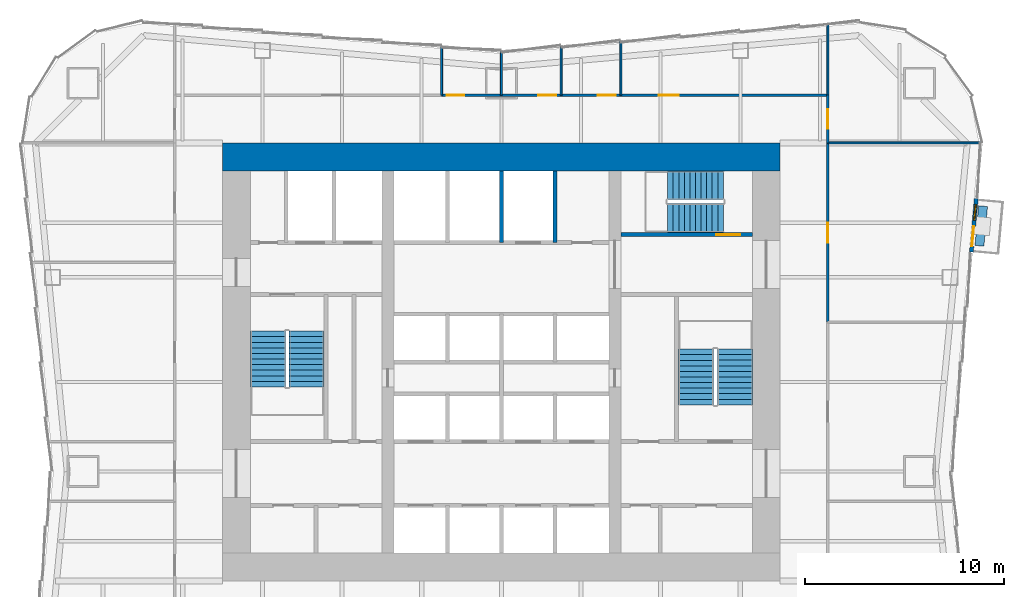
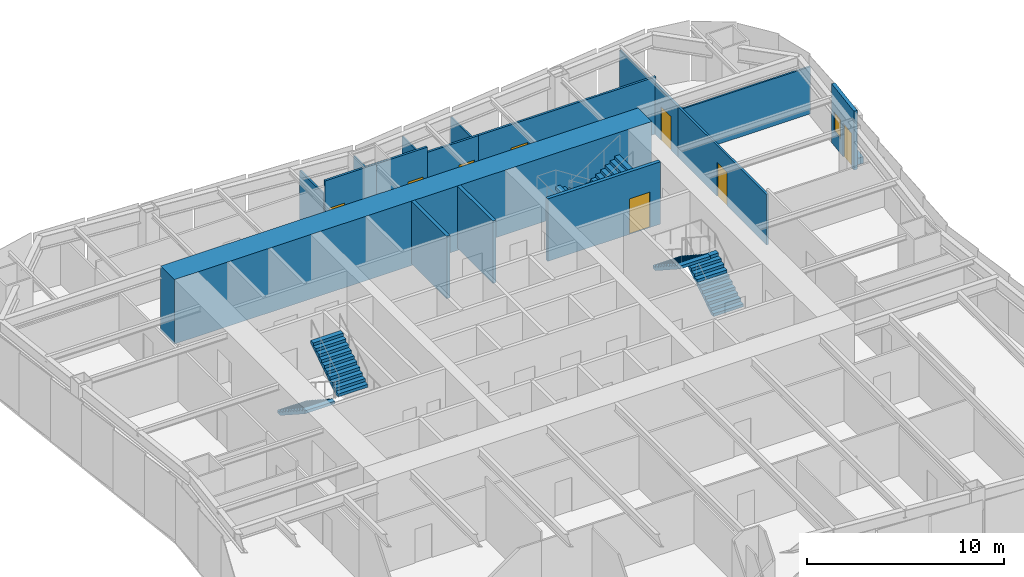
# One storey, part 6 of 8: 18 walls, 8 doors, 6 stair flights, 1 window, 9 openings, 3 elements without a shape of their own.
"""IFC4 building model written with IfcOpenShell, lengths in metres."""

from ifc_helpers import new_model, si_unit, direction, frame, frame_2d, origin, place, context, subcontext, project, spatial, polyline, rectangle, outline, extrude, material, layer, layer_set, type_object, element, fill, aggregate, save


model = new_model("IFC4")

# Units and contexts
model_context = context("Model", 3, precision=1e-05, world=origin(), true_north=direction((0.0, 1.0)))
body_context = subcontext(model_context, "Body", "Model", "MODEL_VIEW")
ifc_project = project(units=[si_unit("LENGTHUNIT", "METRE"), si_unit("AREAUNIT", "SQUARE_METRE"), si_unit("VOLUMEUNIT", "CUBIC_METRE"), si_unit("PLANEANGLEUNIT", "RADIAN"), si_unit("MASSUNIT", "GRAM", prefix="KILO")], contexts=[model_context])

# Site, building, storey
site_placement = place(None, origin())
site = spatial("IfcSite", under=ifc_project, at=site_placement, CompositionType="ELEMENT")
building_placement = place(site_placement, origin())
building = spatial("IfcBuilding", under=site, at=building_placement, Name="Verdant Reach Tower", CompositionType="ELEMENT")
storey_placement = place(building_placement, frame((0.0, 0.0, 18.0)))
storey = spatial("IfcBuildingStorey", under=building, at=storey_placement, Name="L03", CompositionType="ELEMENT", Elevation=18.0)

# Walls
ifc_material_1 = material(Name="Concrete C40/50", Category="concrete")
ifc_layer_1 = layer(ifc_material_1, 0.199951171875)
ifc_layer_set_1 = layer_set([ifc_layer_1], Name="CO-WALL-SHAFT")
wall_type_1 = type_object("IfcWallType", Name="CO-WALL-SHAFT", PredefinedType="PARTITIONING", material=ifc_layer_set_1)
for number, where, z_axis, x_axis, name in (
    (1, (0.0, 34.0, 0.0), (0.0, 0.0, 1.0), (0.0, 1.0, 0.0), "Lift shaft wall, L03"),
    (2, (2.699951171875, 34.0, 0.0), (0.0, 0.0, 1.0), (0.0, 1.0, 0.0), "Lift shaft wall, L03"),
):
    element("IfcWall", number, at=place(storey_placement, frame(where, z_axis=z_axis, x_axis=x_axis)), inside=storey, type_object=wall_type_1, Name=name, PredefinedType="PARTITIONING", context=body_context, shape_type="SweptSolid", body=[
        extrude(rectangle(XDim=3.60009765625, YDim=0.199951171875, at=frame_2d((1.800048828125, 0.0))), origin(), (0.0, 0.0, 1.0), 3.8701171875),
    ])

# Wall, opening, door
ifc_layer_2 = layer(ifc_material_1, 0.199951171875)
ifc_layer_set_2 = layer_set([ifc_layer_2], Name="CO-WALL-STAIR")
wall_type_2 = type_object("IfcWallType", Name="CO-WALL-STAIR", PredefinedType="PARTITIONING", material=ifc_layer_set_2)
wall_1_placement = place(storey_placement, frame((6.0, 34.39990234375, 0.0), z_axis=(0.0, 0.0, 1.0), x_axis=(1.0, 0.0, 0.0)))
wall_1 = element("IfcWall", 3, at=wall_1_placement, inside=storey, type_object=wall_type_2, Name="Stair enclosure wall, L03", PredefinedType="PARTITIONING", context=body_context, shape_type="SweptSolid", body=[
    extrude(rectangle(XDim=6.60009765625, YDim=0.199951171875, at=frame_2d((3.300048828125, 0.0))), origin(), (0.0, 0.0, 1.0), 3.8701171875),
])
opening_1_placement = place(wall_1_placement, frame((4.800048828125, 0.0, 0.0)))
opening_1 = element("IfcOpeningElement", 4, at=opening_1_placement, cuts=wall_1, Name="Opening SD", PredefinedType="OPENING", context=body_context, shape_type="SweptSolid", body=[
    extrude(rectangle(XDim=1.199951171875, YDim=2.199951171875, at=frame_2d((0.60009765625, 1.10009765625))), frame((0.0, 0.10986328125, 0.0), z_axis=(0.0, -1.0, 0.0), x_axis=(1.0, 0.0, 0.0)), (0.0, 0.0, 1.0), 0.219970703125),
])
ifc_material_2 = material(Name="Steel", Category="steel")
door_type_1 = type_object("IfcDoorType", Name="CO-DOOR-STAIR", OperationType="NOTDEFINED", PredefinedType="DOOR", material=ifc_material_2)
door_1_placement = place(opening_1_placement, origin())
door_1 = element("IfcDoor", 5, at=door_1_placement, inside=storey, type_object=door_type_1, Name="Stair door, L03", OperationType="SINGLE_SWING_RIGHT", OverallHeight=2.199951171875, OverallWidth=1.199951171875, PredefinedType="DOOR", context=body_context, shape_type="SweptSolid", body=[
    extrude(rectangle(XDim=1.199951171875, YDim=2.199951171875, at=frame_2d((0.60009765625, 1.10009765625))), frame((0.0, 0.02490234375, 0.0), z_axis=(0.0, -1.0, 0.0), x_axis=(1.0, 0.0, 0.0)), (0.0, 0.0, 1.0), 0.050048828125),
])
fill(opening_1, door_1)

# Wall, openings, door, window
ifc_material_3 = material(Name="Insulated bronze aluminium panel wall", Category="aluminium")
ifc_layer_3 = layer(ifc_material_3, 0.219970703125)
ifc_layer_set_3 = layer_set([ifc_layer_3], Name="EN-INFILL WALL")
wall_type_3 = type_object("IfcWallType", Name="EN-INFILL WALL", PredefinedType="SOLIDWALL", material=ifc_layer_set_3)
wall_2_placement = place(storey_placement, frame((23.602294921875, 33.520751953125, 0.0), z_axis=(0.0, 0.0, 1.0), x_axis=(0.090552042494, 0.995891724838, 0.0)))
wall_2 = element("IfcWall", 6, at=wall_2_placement, inside=storey, type_object=wall_type_3, Name="External infill wall, balcony bay 1, L03", PredefinedType="SOLIDWALL", context=body_context, shape_type="SweptSolid", body=[
    extrude(rectangle(XDim=2.701416015625, YDim=0.199951171875, at=frame_2d((1.3505859375, 0.0))), origin(), (0.0, 0.0, 1.0), 3.64990234375),
])
opening_2_placement = place(wall_2_placement, frame((0.30029296875, 0.0, 0.0)))
opening_2 = element("IfcOpeningElement", 7, at=opening_2_placement, cuts=wall_2, Name="Opening BD1", PredefinedType="OPENING", context=body_context, shape_type="SweptSolid", body=[
    extrude(rectangle(XDim=1.0, YDim=2.10009765625, at=frame_2d((0.5, 1.050048828125))), frame((0.0, 0.10986328125, 0.0), z_axis=(0.0, -1.0, 0.0), x_axis=(1.0, 0.0, 0.0)), (0.0, 0.0, 1.0), 0.219970703125),
])
opening_3_placement = place(wall_2_placement, frame((1.600830078125, 0.0, 0.89990234375)))
opening_3 = element("IfcOpeningElement", 8, at=opening_3_placement, cuts=wall_2, Name="Opening BW1", PredefinedType="OPENING", context=body_context, shape_type="SweptSolid", body=[
    extrude(rectangle(XDim=0.800048828125, YDim=1.199951171875, at=frame_2d((0.39990234375, 0.60009765625))), frame((0.0, 0.10986328125, 0.0), z_axis=(0.0, -1.0, 0.0), x_axis=(1.0, 0.0, 0.0)), (0.0, 0.0, 1.0), 0.219970703125),
])
ifc_material_4 = material(Name="Aluminium framed glazed door", Category="aluminium")
door_type_2 = type_object("IfcDoorType", Name="EN-DOOR BALCONY", OperationType="NOTDEFINED", PredefinedType="DOOR", material=ifc_material_4)
door_2_placement = place(opening_2_placement, origin())
door_2 = element("IfcDoor", 9, at=door_2_placement, inside=storey, type_object=door_type_2, Name="Balcony door 1, L03", OperationType="SINGLE_SWING_LEFT", OverallHeight=2.10009765625, OverallWidth=1.0, PredefinedType="DOOR", context=body_context, shape_type="SweptSolid", body=[
    extrude(rectangle(XDim=1.0, YDim=2.10009765625, at=frame_2d((0.5, 1.050048828125))), frame((0.0, 0.02490234375, 0.0), z_axis=(0.0, -1.0, 0.0), x_axis=(1.0, 0.0, 0.0)), (0.0, 0.0, 1.0), 0.050048828125),
])
fill(opening_2, door_2)
ifc_material_5 = material(Name="Aluminium framed glazing", Category="aluminium")
window_type = type_object("IfcWindowType", Name="EN-WINDOW BALCONY", PartitioningType="SINGLE_PANEL", PredefinedType="WINDOW", material=ifc_material_5)
window_placement = place(opening_3_placement, origin())
window = element("IfcWindow", 10, at=window_placement, inside=storey, type_object=window_type, Name="Balcony window 1, L03", OverallHeight=1.199951171875, OverallWidth=0.800048828125, PartitioningType="SINGLE_PANEL", PredefinedType="WINDOW", context=body_context, shape_type="SweptSolid", body=[
    extrude(rectangle(XDim=0.800048828125, YDim=1.199951171875, at=frame_2d((0.39990234375, 0.60009765625))), frame((0.0, 0.030029296875, 0.0), z_axis=(0.0, -1.0, 0.0), x_axis=(1.0, 0.0, 0.0)), (0.0, 0.0, 1.0), 0.06005859375),
])
fill(opening_3, window)

# Walls
ifc_material_6 = material(Name="Precast concrete C30/37", Category="concrete")
ifc_layer_4 = layer(ifc_material_6, 0.449951171875)
ifc_layer_set_4 = layer_set([ifc_layer_4], Name="EN-PLANTER")
wall_type_4 = type_object("IfcWallType", Name="EN-PLANTER", PredefinedType="USERDEFINED", material=ifc_layer_set_4)
wall_3_placement = place(storey_placement, frame((24.007568359375, 33.83544921875, 0.0), z_axis=(0.0, 0.0, 1.0), x_axis=(0.090513748512, 0.995895205998, 0.0)))
element("IfcWall", 11, at=wall_3_placement, inside=storey, type_object=wall_type_4, Name="Balcony planter 1, L03", ObjectType="PLANTER", PredefinedType="USERDEFINED", context=body_context, shape_type="SweptSolid", body=[
    extrude(rectangle(XDim=2.00146484375, YDim=0.449951171875, at=frame_2d((1.000732421875, 0.0))), origin(), (0.0, 0.0, 1.0), 0.39990234375),
])
ifc_material_7 = material(Name="Gypsum board on steel studs", Category="steel")
ifc_layer_5 = layer(ifc_material_7, 0.10009765625)
ifc_layer_set_5 = layer_set([ifc_layer_5], Name="FL-W1 Partition 100")
wall_type_5 = type_object("IfcWallType", Name="FL-W1 Partition 100", PredefinedType="PARTITIONING", material=ifc_layer_set_5)
wall_4_placement = place(storey_placement, frame((-3.0, 41.39990234375, 0.0), z_axis=(0.0, 0.0, 1.0), x_axis=(0.0, 1.0, 0.0)))
element("IfcWall", 12, at=wall_4_placement, inside=storey, type_object=wall_type_5, Name="Partition 03.36", PredefinedType="PARTITIONING", context=body_context, shape_type="SweptSolid", body=[
    extrude(rectangle(XDim=2.43017578125, YDim=0.10009765625, at=frame_2d((1.215087890625, 0.0))), origin(), (0.0, 0.0, 1.0), 3.0400390625),
])
wall_5_placement = place(storey_placement, frame((0.0, 41.39990234375, 0.0), z_axis=(0.0, 0.0, 1.0), x_axis=(0.0, 1.0, 0.0)))
element("IfcWall", 13, at=wall_5_placement, inside=storey, type_object=wall_type_5, Name="Partition 03.38", PredefinedType="PARTITIONING", context=body_context, shape_type="SweptSolid", body=[
    extrude(rectangle(XDim=2.18017578125, YDim=0.10009765625, at=frame_2d((1.090087890625, 0.0))), origin(), (0.0, 0.0, 1.0), 3.0400390625),
])
wall_6_placement = place(storey_placement, frame((3.0, 41.39990234375, 0.0), z_axis=(0.0, 0.0, 1.0), x_axis=(0.0, 1.0, 0.0)))
element("IfcWall", 14, at=wall_6_placement, inside=storey, type_object=wall_type_5, Name="Partition 03.39", PredefinedType="PARTITIONING", context=body_context, shape_type="SweptSolid", body=[
    extrude(rectangle(XDim=2.43017578125, YDim=0.10009765625, at=frame_2d((1.215087890625, 0.0))), origin(), (0.0, 0.0, 1.0), 3.0400390625),
])
wall_7_placement = place(storey_placement, frame((6.0, 41.39990234375, 0.0), z_axis=(0.0, 0.0, 1.0), x_axis=(0.0, 1.0, 0.0)))
element("IfcWall", 15, at=wall_7_placement, inside=storey, type_object=wall_type_5, Name="Partition 03.40", PredefinedType="PARTITIONING", context=body_context, shape_type="SweptSolid", body=[
    extrude(rectangle(XDim=2.68017578125, YDim=0.10009765625, at=frame_2d((1.340087890625, 0.0))), origin(), (0.0, 0.0, 1.0), 3.0400390625),
])
wall_8_placement = place(storey_placement, frame((16.39990234375, 41.39599609375, 0.0), z_axis=(0.0, 0.0, 1.0), x_axis=(0.0, 1.0, 0.0)))
element("IfcWall", 16, at=wall_8_placement, inside=storey, type_object=wall_type_5, Name="Partition 03.41", PredefinedType="PARTITIONING", context=body_context, shape_type="SweptSolid", body=[
    extrude(rectangle(XDim=3.55078125, YDim=0.10009765625, at=frame_2d((1.775390625, 0.0))), origin(), (0.0, 0.0, 1.0), 3.0400390625),
])
wall_9_placement = place(storey_placement, frame((24.080078125, 39.0, 0.0), z_axis=(0.0, 0.0, 1.0), x_axis=(-1.0, 0.0, 0.0)))
element("IfcWall", 17, at=wall_9_placement, inside=storey, type_object=wall_type_5, Name="Partition 03.48", PredefinedType="PARTITIONING", context=body_context, shape_type="SweptSolid", body=[
    extrude(rectangle(XDim=7.68017578125, YDim=0.10009765625, at=frame_2d((3.840087890625, 0.0))), origin(), (0.0, 0.0, 1.0), 2.929931640625),
])

# Wall, opening, door
ifc_material_8 = material(Name="Gypsum board on steel studs, fire rated", Category="steel")
ifc_layer_6 = layer(ifc_material_8, 0.125)
ifc_layer_set_6 = layer_set([ifc_layer_6], Name="FL-W2 Corridor wall 125")
wall_type_6 = type_object("IfcWallType", Name="FL-W2 Corridor wall 125", PredefinedType="PARTITIONING", material=ifc_layer_set_6)
wall_10_placement = place(storey_placement, frame((-3.0, 41.39990234375, 0.0), z_axis=(0.0, 0.0, 1.0), x_axis=(1.0, 0.0, 0.0)))
wall_10 = element("IfcWall", 18, at=wall_10_placement, inside=storey, type_object=wall_type_6, Name="Partition 03.06", PredefinedType="PARTITIONING", context=body_context, shape_type="SweptSolid", body=[
    extrude(rectangle(XDim=3.0, YDim=0.125, at=frame_2d((1.5, 0.0))), origin(), (0.0, 0.0, 1.0), 3.8701171875),
])
opening_4_placement = place(wall_10_placement, frame((0.25, 0.0, 0.0)))
opening_4 = element("IfcOpeningElement", 19, at=opening_4_placement, cuts=wall_10, Name="Opening D1", PredefinedType="OPENING", context=body_context, shape_type="SweptSolid", body=[
    extrude(rectangle(XDim=0.89990234375, YDim=2.10009765625, at=frame_2d((0.449951171875, 1.050048828125))), frame((0.0, 0.072509765625, 0.0), z_axis=(0.0, -1.0, 0.0), x_axis=(1.0, 0.0, 0.0)), (0.0, 0.0, 1.0), 0.14501953125),
])
ifc_material_9 = material(Name="Painted timber door leaf", Category="wood")
door_type_3 = type_object("IfcDoorType", Name="FL-D1 Door 900x2100", OperationType="NOTDEFINED", PredefinedType="DOOR", material=ifc_material_9)
door_3_placement = place(opening_4_placement, origin())
door_3 = element("IfcDoor", 20, at=door_3_placement, inside=storey, type_object=door_type_3, Name="Door 03-006", OperationType="SINGLE_SWING_LEFT", OverallHeight=2.10009765625, OverallWidth=0.89990234375, PredefinedType="DOOR", context=body_context, shape_type="SweptSolid", body=[
    extrude(rectangle(XDim=0.89990234375, YDim=2.10009765625, at=frame_2d((0.449951171875, 1.050048828125))), frame((0.0, 0.02490234375, 0.0), z_axis=(0.0, -1.0, 0.0), x_axis=(1.0, 0.0, 0.0)), (0.0, 0.0, 1.0), 0.050048828125),
])
fill(opening_4, door_3)

wall_11_placement = place(storey_placement, frame((0.0, 41.39990234375, 0.0), z_axis=(0.0, 0.0, 1.0), x_axis=(1.0, 0.0, 0.0)))
wall_11 = element("IfcWall", 21, at=wall_11_placement, inside=storey, type_object=wall_type_6, Name="Partition 03.07", PredefinedType="PARTITIONING", context=body_context, shape_type="SweptSolid", body=[
    extrude(rectangle(XDim=3.0, YDim=0.125, at=frame_2d((1.5, 0.0))), origin(), (0.0, 0.0, 1.0), 3.8701171875),
])
opening_5_placement = place(wall_11_placement, frame((1.85009765625, 0.0, 0.0)))
opening_5 = element("IfcOpeningElement", 22, at=opening_5_placement, cuts=wall_11, Name="Opening D1", PredefinedType="OPENING", context=body_context, shape_type="SweptSolid", body=[
    extrude(rectangle(XDim=0.89990234375, YDim=2.10009765625, at=frame_2d((0.449951171875, 1.050048828125))), frame((0.0, 0.072509765625, 0.0), z_axis=(0.0, -1.0, 0.0), x_axis=(1.0, 0.0, 0.0)), (0.0, 0.0, 1.0), 0.14501953125),
])
door_4_placement = place(opening_5_placement, origin())
door_4 = element("IfcDoor", 23, at=door_4_placement, inside=storey, type_object=door_type_3, Name="Door 03-007", OperationType="SINGLE_SWING_RIGHT", OverallHeight=2.10009765625, OverallWidth=0.89990234375, PredefinedType="DOOR", context=body_context, shape_type="SweptSolid", body=[
    extrude(rectangle(XDim=0.89990234375, YDim=2.10009765625, at=frame_2d((0.449951171875, 1.050048828125))), frame((0.0, 0.02490234375, 0.0), z_axis=(0.0, -1.0, 0.0), x_axis=(1.0, 0.0, 0.0)), (0.0, 0.0, 1.0), 0.050048828125),
])
fill(opening_5, door_4)

wall_12_placement = place(storey_placement, frame((3.0, 41.39990234375, 0.0), z_axis=(0.0, 0.0, 1.0), x_axis=(1.0, 0.0, 0.0)))
wall_12 = element("IfcWall", 24, at=wall_12_placement, inside=storey, type_object=wall_type_6, Name="Partition 03.08", PredefinedType="PARTITIONING", context=body_context, shape_type="SweptSolid", body=[
    extrude(rectangle(XDim=3.0, YDim=0.125, at=frame_2d((1.5, 0.0))), origin(), (0.0, 0.0, 1.0), 3.5400390625),
])
opening_6_placement = place(wall_12_placement, frame((1.85009765625, 0.0, 0.0)))
opening_6 = element("IfcOpeningElement", 25, at=opening_6_placement, cuts=wall_12, Name="Opening D1", PredefinedType="OPENING", context=body_context, shape_type="SweptSolid", body=[
    extrude(rectangle(XDim=0.89990234375, YDim=2.10009765625, at=frame_2d((0.449951171875, 1.050048828125))), frame((0.0, 0.072509765625, 0.0), z_axis=(0.0, -1.0, 0.0), x_axis=(1.0, 0.0, 0.0)), (0.0, 0.0, 1.0), 0.14501953125),
])
door_5_placement = place(opening_6_placement, origin())
door_5 = element("IfcDoor", 26, at=door_5_placement, inside=storey, type_object=door_type_3, Name="Door 03-008", OperationType="SINGLE_SWING_RIGHT", OverallHeight=2.10009765625, OverallWidth=0.89990234375, PredefinedType="DOOR", context=body_context, shape_type="SweptSolid", body=[
    extrude(rectangle(XDim=0.89990234375, YDim=2.10009765625, at=frame_2d((0.449951171875, 1.050048828125))), frame((0.0, 0.02490234375, 0.0), z_axis=(0.0, -1.0, 0.0), x_axis=(1.0, 0.0, 0.0)), (0.0, 0.0, 1.0), 0.050048828125),
])
fill(opening_6, door_5)

wall_13_placement = place(storey_placement, frame((6.0, 41.39990234375, 0.0), z_axis=(0.0, 0.0, 1.0), x_axis=(1.0, 0.0, 0.0)))
wall_13 = element("IfcWall", 27, at=wall_13_placement, inside=storey, type_object=wall_type_6, Name="Partition 03.09", PredefinedType="PARTITIONING", context=body_context, shape_type="SweptSolid", body=[
    extrude(rectangle(XDim=10.39990234375, YDim=0.125, at=frame_2d((5.199951171875, 0.0))), origin(), (0.0, 0.0, 1.0), 3.5400390625),
])
opening_7_placement = place(wall_13_placement, frame((1.89990234375, 0.0, 0.0)))
opening_7 = element("IfcOpeningElement", 28, at=opening_7_placement, cuts=wall_13, Name="Opening D2", PredefinedType="OPENING", context=body_context, shape_type="SweptSolid", body=[
    extrude(rectangle(XDim=1.0, YDim=2.10009765625, at=frame_2d((0.5, 1.050048828125))), frame((0.0, 0.072509765625, 0.0), z_axis=(0.0, -1.0, 0.0), x_axis=(1.0, 0.0, 0.0)), (0.0, 0.0, 1.0), 0.14501953125),
])
ifc_material_10 = material(Name="Timber door leaf, fire rated", Category="wood")
door_type_4 = type_object("IfcDoorType", Name="FL-D2 Entrance door 1000x2100 FD30", OperationType="NOTDEFINED", PredefinedType="DOOR", material=ifc_material_10)
door_6_placement = place(opening_7_placement, origin())
door_6 = element("IfcDoor", 29, at=door_6_placement, inside=storey, type_object=door_type_4, Name="Door 03-009", OperationType="SINGLE_SWING_LEFT", OverallHeight=2.10009765625, OverallWidth=1.0, PredefinedType="DOOR", context=body_context, shape_type="SweptSolid", body=[
    extrude(rectangle(XDim=1.0, YDim=2.10009765625, at=frame_2d((0.5, 1.050048828125))), frame((0.0, 0.02490234375, 0.0), z_axis=(0.0, -1.0, 0.0), x_axis=(1.0, 0.0, 0.0)), (0.0, 0.0, 1.0), 0.050048828125),
])
fill(opening_7, door_6)

wall_14_placement = place(storey_placement, frame((16.39990234375, 39.0, 0.0), z_axis=(0.0, 0.0, 1.0), x_axis=(0.0, -1.0, 0.0)))
wall_14 = element("IfcWall", 30, at=wall_14_placement, inside=storey, type_object=wall_type_6, Name="Partition 03.17", PredefinedType="PARTITIONING", context=body_context, shape_type="SweptSolid", body=[
    extrude(rectangle(XDim=9.0, YDim=0.125, at=frame_2d((4.5, 0.0))), origin(), (0.0, 0.0, 1.0), 3.139892578125),
])
opening_8_placement = place(wall_14_placement, frame((4.0, 0.0, 0.0)))
opening_8 = element("IfcOpeningElement", 31, at=opening_8_placement, cuts=wall_14, Name="Opening D2", PredefinedType="OPENING", context=body_context, shape_type="SweptSolid", body=[
    extrude(rectangle(XDim=1.0, YDim=2.10009765625, at=frame_2d((0.5, 1.050048828125))), frame((0.0, 0.072509765625, 0.0), z_axis=(0.0, -1.0, 0.0), x_axis=(1.0, 0.0, 0.0)), (0.0, 0.0, 1.0), 0.14501953125),
])
door_7_placement = place(opening_8_placement, origin())
door_7 = element("IfcDoor", 32, at=door_7_placement, inside=storey, type_object=door_type_4, Name="Door 03-017", OperationType="SINGLE_SWING_LEFT", OverallHeight=2.10009765625, OverallWidth=1.0, PredefinedType="DOOR", context=body_context, shape_type="SweptSolid", body=[
    extrude(rectangle(XDim=1.0, YDim=2.10009765625, at=frame_2d((0.5, 1.050048828125))), frame((0.0, 0.02490234375, 0.0), z_axis=(0.0, -1.0, 0.0), x_axis=(1.0, 0.0, 0.0)), (0.0, 0.0, 1.0), 0.050048828125),
])
fill(opening_8, door_7)

wall_15_placement = place(storey_placement, frame((16.39990234375, 41.404052734375, 0.0), z_axis=(0.0, 0.0, 1.0), x_axis=(0.0, -1.0, 0.0)))
wall_15 = element("IfcWall", 33, at=wall_15_placement, inside=storey, type_object=wall_type_6, Name="Partition 03.18", PredefinedType="PARTITIONING", context=body_context, shape_type="SweptSolid", body=[
    extrude(rectangle(XDim=2.404052734375, YDim=0.125, at=frame_2d((1.2021484375, 0.0))), origin(), (0.0, 0.0, 1.0), 3.139892578125),
])
opening_9_placement = place(wall_15_placement, frame((0.701904296875, 0.0, 0.0)))
opening_9 = element("IfcOpeningElement", 34, at=opening_9_placement, cuts=wall_15, Name="Opening D2", PredefinedType="OPENING", context=body_context, shape_type="SweptSolid", body=[
    extrude(rectangle(XDim=1.0, YDim=2.10009765625, at=frame_2d((0.5, 1.050048828125))), frame((0.0, 0.072509765625, 0.0), z_axis=(0.0, -1.0, 0.0), x_axis=(1.0, 0.0, 0.0)), (0.0, 0.0, 1.0), 0.14501953125),
])
door_8_placement = place(opening_9_placement, origin())
door_8 = element("IfcDoor", 35, at=door_8_placement, inside=storey, type_object=door_type_4, Name="Door 03-018", OperationType="SINGLE_SWING_RIGHT", OverallHeight=2.10009765625, OverallWidth=1.0, PredefinedType="DOOR", context=body_context, shape_type="SweptSolid", body=[
    extrude(rectangle(XDim=1.0, YDim=2.10009765625, at=frame_2d((0.5, 1.050048828125))), frame((0.0, 0.02490234375, 0.0), z_axis=(0.0, -1.0, 0.0), x_axis=(1.0, 0.0, 0.0)), (0.0, 0.0, 1.0), 0.050048828125),
])
fill(opening_9, door_8)

# Wall
ifc_material_11 = material(Name="Concrete C70/85", Category="concrete")
ifc_layer_7 = layer(ifc_material_11, 1.39990234375)
ifc_layer_set_7 = layer_set([ifc_layer_7], Name="ST-CORE-WALL-1400")
wall_type_7 = type_object("IfcWallType", Name="ST-CORE-WALL-1400", PredefinedType="SHEAR", material=ifc_layer_set_7)
wall_16_placement = place(storey_placement, frame((-14.0, 38.300048828125, -0.1298828125), z_axis=(0.0, 0.0, 1.0), x_axis=(1.0, 0.0, 0.0)))
element("IfcWall", 36, at=wall_16_placement, inside=storey, type_object=wall_type_7, Name="Core wall N, L03", PredefinedType="SHEAR", context=body_context, shape_type="SweptSolid", body=[
    extrude(rectangle(XDim=28.0, YDim=1.39990234375, at=frame_2d((14.0, 0.0))), origin(), (0.0, 0.0, 1.0), 4.0),
])

# Stair, stair flights
stair_type = type_object("IfcStairType", Name="CO-STAIR", PredefinedType="HALF_TURN_STAIR", material=ifc_material_1)
stair_1_placement = place(storey_placement, origin())
stair_1 = element("IfcStair", 37, at=stair_1_placement, inside=storey, type_object=stair_type, Name="L03 Exit stair 1", PredefinedType="HALF_TURN_STAIR")
stair_flight_type = type_object("IfcStairFlightType", Name="CO-STAIR-FLIGHT", PredefinedType="STRAIGHT", material=ifc_material_1)
stair_flight_1_placement = place(storey_placement, frame((-11.72509765625, 29.550048828125, 0.0), z_axis=(0.0, 0.0, 1.0), x_axis=(0.0, -1.0, 0.0)))
stair_flight_1 = element("IfcStairFlight", 38, at=stair_flight_1_placement, type_object=stair_flight_type, Name="ST-1 flight 1", NumberOfRisers=11, NumberOfTreads=10, PredefinedType="STRAIGHT", RiserHeight=0.181818182, TreadLength=0.28, context=body_context, shape_type="SweptSolid", body=[
    extrude(outline(polyline([(0.0, 0.0), (0.0, 0.181884765625), (0.280029296875, 0.181884765625), (0.280029296875, 0.363525390625), (0.56005859375, 0.363525390625), (0.56005859375, 0.54541015625), (0.840087890625, 0.54541015625), (0.840087890625, 0.727294921875), (1.1201171875, 0.727294921875), (1.1201171875, 0.9091796875), (1.39990234375, 0.9091796875), (1.39990234375, 1.0908203125), (1.679931640625, 1.0908203125), (1.679931640625, 1.272705078125), (1.9599609375, 1.272705078125), (1.9599609375, 1.45458984375), (2.239990234375, 1.45458984375), (2.239990234375, 1.636474609375), (2.52001953125, 1.636474609375), (2.52001953125, 1.818115234375), (2.800048828125, 1.818115234375), (2.800048828125, 2.0), (2.800048828125, 1.639404296875), (0.275146484375, 0.0), (0.0, 0.0)])), frame((0.0, 0.875, 0.0), z_axis=(0.0, -1.0, 0.0), x_axis=(1.0, 0.0, 0.0)), (0.0, 0.0, 1.0), 1.75),
])
stair_flight_2_placement = place(storey_placement, frame((-9.77490234375, 26.75, 2.0), z_axis=(0.0, 0.0, 1.0), x_axis=(0.0, 1.0, 0.0)))
stair_flight_2 = element("IfcStairFlight", 39, at=stair_flight_2_placement, type_object=stair_flight_type, Name="ST-1 flight 2", NumberOfRisers=11, NumberOfTreads=10, PredefinedType="STRAIGHT", RiserHeight=0.181818182, TreadLength=0.28, context=body_context, shape_type="SweptSolid", body=[
    extrude(outline(polyline([(0.0, 0.0), (0.0, 0.181884765625), (0.280029296875, 0.181884765625), (0.280029296875, 0.363525390625), (0.56005859375, 0.363525390625), (0.56005859375, 0.54541015625), (0.840087890625, 0.54541015625), (0.840087890625, 0.727294921875), (1.1201171875, 0.727294921875), (1.1201171875, 0.9091796875), (1.39990234375, 0.9091796875), (1.39990234375, 1.0908203125), (1.679931640625, 1.0908203125), (1.679931640625, 1.272705078125), (1.9599609375, 1.272705078125), (1.9599609375, 1.45458984375), (2.239990234375, 1.45458984375), (2.239990234375, 1.636474609375), (2.52001953125, 1.636474609375), (2.52001953125, 1.818115234375), (2.800048828125, 1.818115234375), (2.800048828125, 2.0), (2.800048828125, 1.639404296875), (0.275146484375, 0.0), (0.0, 0.0)])), frame((0.0, 0.875, 0.0), z_axis=(0.0, -1.0, 0.0), x_axis=(1.0, 0.0, 0.0)), (0.0, 0.0, 1.0), 1.75),
])
aggregate(stair_1, [stair_flight_1, stair_flight_2])

stair_2_placement = place(storey_placement, origin())
stair_2 = element("IfcStair", 40, at=stair_2_placement, inside=storey, type_object=stair_type, Name="L03 Exit stair 2", PredefinedType="HALF_TURN_STAIR")
stair_flight_3_placement = place(storey_placement, frame((11.72509765625, 25.85009765625, 0.0), z_axis=(0.0, 0.0, 1.0), x_axis=(0.0, 1.0, 0.0)))
stair_flight_3 = element("IfcStairFlight", 41, at=stair_flight_3_placement, type_object=stair_flight_type, Name="ST-2 flight 1", NumberOfRisers=11, NumberOfTreads=10, PredefinedType="STRAIGHT", RiserHeight=0.181818182, TreadLength=0.28, context=body_context, shape_type="SweptSolid", body=[
    extrude(outline(polyline([(0.0, 0.0), (0.0, 0.181884765625), (0.280029296875, 0.181884765625), (0.280029296875, 0.363525390625), (0.56005859375, 0.363525390625), (0.56005859375, 0.54541015625), (0.840087890625, 0.54541015625), (0.840087890625, 0.727294921875), (1.1201171875, 0.727294921875), (1.1201171875, 0.9091796875), (1.39990234375, 0.9091796875), (1.39990234375, 1.0908203125), (1.679931640625, 1.0908203125), (1.679931640625, 1.272705078125), (1.9599609375, 1.272705078125), (1.9599609375, 1.45458984375), (2.239990234375, 1.45458984375), (2.239990234375, 1.636474609375), (2.52001953125, 1.636474609375), (2.52001953125, 1.818115234375), (2.800048828125, 1.818115234375), (2.800048828125, 2.0), (2.800048828125, 1.639404296875), (0.275146484375, 0.0), (0.0, 0.0)])), frame((0.0, 0.875, 0.0), z_axis=(0.0, -1.0, 0.0), x_axis=(1.0, 0.0, 0.0)), (0.0, 0.0, 1.0), 1.75),
])
stair_flight_4_placement = place(storey_placement, frame((9.77490234375, 28.64990234375, 2.0), z_axis=(0.0, 0.0, 1.0), x_axis=(0.0, -1.0, 0.0)))
stair_flight_4 = element("IfcStairFlight", 42, at=stair_flight_4_placement, type_object=stair_flight_type, Name="ST-2 flight 2", NumberOfRisers=11, NumberOfTreads=10, PredefinedType="STRAIGHT", RiserHeight=0.181818182, TreadLength=0.28, context=body_context, shape_type="SweptSolid", body=[
    extrude(outline(polyline([(0.0, 0.0), (0.0, 0.181884765625), (0.280029296875, 0.181884765625), (0.280029296875, 0.363525390625), (0.56005859375, 0.363525390625), (0.56005859375, 0.54541015625), (0.840087890625, 0.54541015625), (0.840087890625, 0.727294921875), (1.1201171875, 0.727294921875), (1.1201171875, 0.9091796875), (1.39990234375, 0.9091796875), (1.39990234375, 1.0908203125), (1.679931640625, 1.0908203125), (1.679931640625, 1.272705078125), (1.9599609375, 1.272705078125), (1.9599609375, 1.45458984375), (2.239990234375, 1.45458984375), (2.239990234375, 1.636474609375), (2.52001953125, 1.636474609375), (2.52001953125, 1.818115234375), (2.800048828125, 1.818115234375), (2.800048828125, 2.0), (2.800048828125, 1.639404296875), (0.275146484375, 0.0), (0.0, 0.0)])), frame((0.0, 0.875, 0.0), z_axis=(0.0, -1.0, 0.0), x_axis=(1.0, 0.0, 0.0)), (0.0, 0.0, 1.0), 1.75),
])
aggregate(stair_2, [stair_flight_3, stair_flight_4])

stair_3_placement = place(storey_placement, origin())
stair_3 = element("IfcStair", 43, at=stair_3_placement, inside=storey, type_object=stair_type, Name="L03 Exit stair 3", PredefinedType="HALF_TURN_STAIR")
stair_flight_5_placement = place(storey_placement, frame((11.14990234375, 36.875, 0.0), z_axis=(0.0, 0.0, 1.0), x_axis=(-1.0, 0.0, 0.0)))
stair_flight_5 = element("IfcStairFlight", 44, at=stair_flight_5_placement, type_object=stair_flight_type, Name="ST-3 flight 1", NumberOfRisers=11, NumberOfTreads=10, PredefinedType="STRAIGHT", RiserHeight=0.181818182, TreadLength=0.28, context=body_context, shape_type="SweptSolid", body=[
    extrude(outline(polyline([(0.0, 0.0), (0.0, 0.181884765625), (0.280029296875, 0.181884765625), (0.280029296875, 0.363525390625), (0.56005859375, 0.363525390625), (0.56005859375, 0.54541015625), (0.840087890625, 0.54541015625), (0.840087890625, 0.727294921875), (1.1201171875, 0.727294921875), (1.1201171875, 0.9091796875), (1.39990234375, 0.9091796875), (1.39990234375, 1.0908203125), (1.679931640625, 1.0908203125), (1.679931640625, 1.272705078125), (1.9599609375, 1.272705078125), (1.9599609375, 1.45458984375), (2.239990234375, 1.45458984375), (2.239990234375, 1.636474609375), (2.52001953125, 1.636474609375), (2.52001953125, 1.818115234375), (2.800048828125, 1.818115234375), (2.800048828125, 2.0), (2.800048828125, 1.639404296875), (0.275146484375, 0.0), (0.0, 0.0)])), frame((0.0, 0.72509765625, 0.0), z_axis=(0.0, -1.0, 0.0), x_axis=(1.0, 0.0, 0.0)), (0.0, 0.0, 1.0), 1.449951171875),
])
stair_flight_6_placement = place(storey_placement, frame((8.35009765625, 35.22509765625, 2.0), z_axis=(0.0, 0.0, 1.0), x_axis=(1.0, 0.0, 0.0)))
stair_flight_6 = element("IfcStairFlight", 45, at=stair_flight_6_placement, type_object=stair_flight_type, Name="ST-3 flight 2", NumberOfRisers=11, NumberOfTreads=10, PredefinedType="STRAIGHT", RiserHeight=0.181818182, TreadLength=0.28, context=body_context, shape_type="SweptSolid", body=[
    extrude(outline(polyline([(0.0, 0.0), (0.0, 0.181884765625), (0.280029296875, 0.181884765625), (0.280029296875, 0.363525390625), (0.56005859375, 0.363525390625), (0.56005859375, 0.54541015625), (0.840087890625, 0.54541015625), (0.840087890625, 0.727294921875), (1.1201171875, 0.727294921875), (1.1201171875, 0.9091796875), (1.39990234375, 0.9091796875), (1.39990234375, 1.0908203125), (1.679931640625, 1.0908203125), (1.679931640625, 1.272705078125), (1.9599609375, 1.272705078125), (1.9599609375, 1.45458984375), (2.239990234375, 1.45458984375), (2.239990234375, 1.636474609375), (2.52001953125, 1.636474609375), (2.52001953125, 1.818115234375), (2.800048828125, 1.818115234375), (2.800048828125, 2.0), (2.800048828125, 1.639404296875), (0.275146484375, 0.0), (0.0, 0.0)])), frame((0.0, 0.72509765625, 0.0), z_axis=(0.0, -1.0, 0.0), x_axis=(1.0, 0.0, 0.0)), (0.0, 0.0, 1.0), 1.449951171875),
])
aggregate(stair_3, [stair_flight_5, stair_flight_6])

save(model, "model.ifc")
